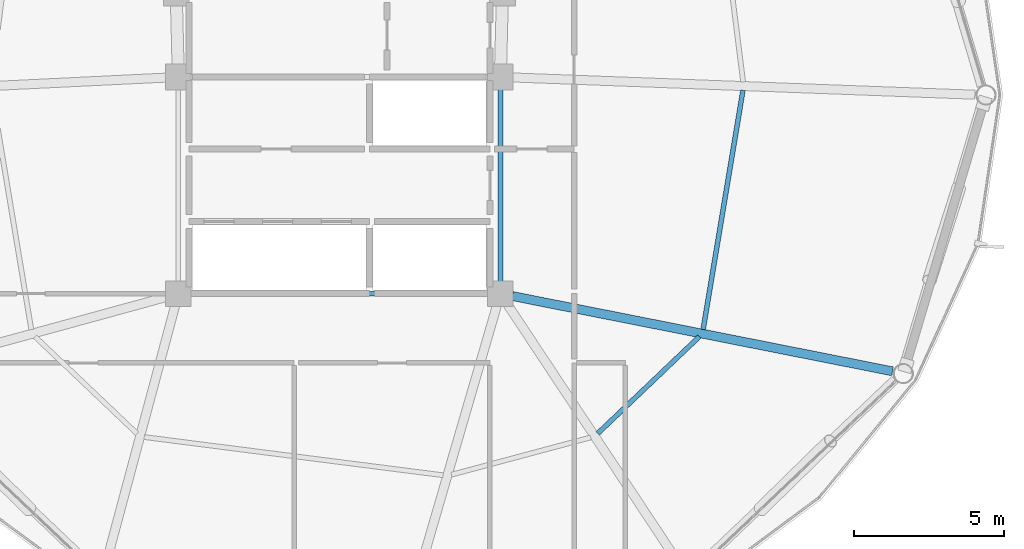
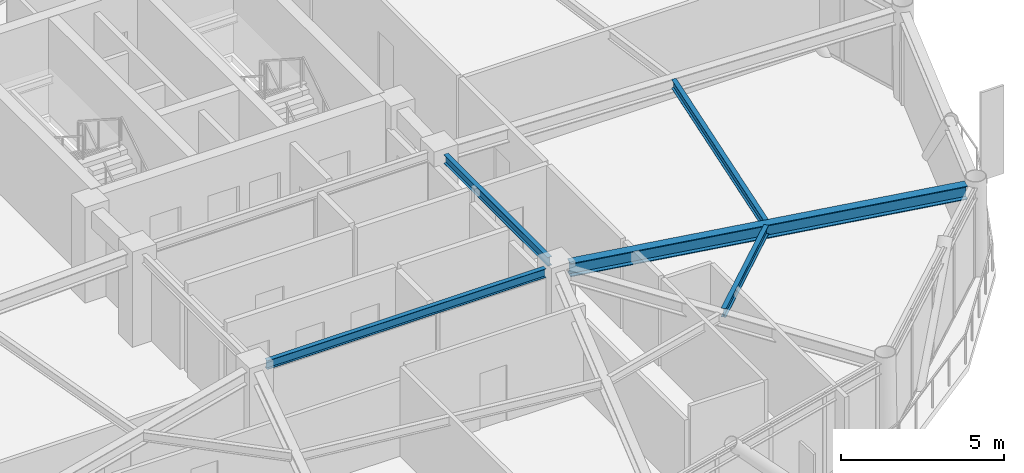
# One storey, part 10 of 28: 5 beams.
"""IFC4 building model written with IfcOpenShell, lengths in metres."""

from ifc_helpers import new_model, si_unit, direction, frame, origin, origin_2d, place, context, subcontext, project, spatial, i_section, extrude, material, material_profile, profile_set, type_object, element, save


model = new_model("IFC4")

# Units and contexts
model_context = context("Model", 3, precision=1e-05, world=origin(), true_north=direction((0.0, 1.0)))
body_context = subcontext(model_context, "Body", "Model", "MODEL_VIEW")
ifc_project = project(units=[si_unit("LENGTHUNIT", "METRE"), si_unit("AREAUNIT", "SQUARE_METRE"), si_unit("VOLUMEUNIT", "CUBIC_METRE"), si_unit("PLANEANGLEUNIT", "RADIAN"), si_unit("MASSUNIT", "GRAM", prefix="KILO")], contexts=[model_context])

# Site, building, storey
site_placement = place(None, origin())
site = spatial("IfcSite", under=ifc_project, at=site_placement, CompositionType="ELEMENT")
building_placement = place(site_placement, origin())
building = spatial("IfcBuilding", under=site, at=building_placement, Name="Varnakorn Sky Granary", CompositionType="ELEMENT")
storey_placement = place(building_placement, frame((0.0, 0.0, 186.0)))
storey = spatial("IfcBuildingStorey", under=building, at=storey_placement, Name="L46", CompositionType="ELEMENT", Elevation=186.0)

# Beams
ifc_material = material(Name="Steel S355JR", Category="steel")
ifc_material_profile_1 = material_profile(ifc_material, i_section(OverallWidth=0.300048828125, OverallDepth=0.5, WebThickness=0.014404296875, FlangeThickness=0.028076171875, at=origin_2d()), Name="HE 500 B")
ifc_profile_set_1 = profile_set([ifc_material_profile_1], Name="Steel S355JR")
beam_type_1 = type_object("IfcBeamType", Name="BM-RAD-Z4", PredefinedType="BEAM", material=ifc_profile_set_1)
beam_1_placement = place(storey_placement, frame((8.747314453125, -6.6787109375, 3.110107421875), z_axis=(0.980974620226, -0.194136020546, 0.0), x_axis=(0.194136020546, 0.980974620226, 0.0)))
element("IfcBeam", 1, at=beam_1_placement, inside=storey, type_object=beam_type_1, Name="Radial Floor Girder RG12 L46", PredefinedType="BEAM", context=body_context, shape_type="SweptSolid", body=[
    extrude(i_section(OverallWidth=0.300048828125, OverallDepth=0.5, WebThickness=0.014404296875, FlangeThickness=0.028076171875, at=origin_2d()), origin(), (0.0, 0.0, 1.0), 12.877685546875),
])
ifc_material_profile_2 = material_profile(ifc_material, i_section(OverallWidth=0.159912109375, OverallDepth=0.330078125, WebThickness=0.007568359375, FlangeThickness=0.011474609375, at=origin_2d()), Name="IPE 330")
ifc_profile_set_2 = profile_set([ifc_material_profile_2], Name="Steel S355JR")
beam_type_2 = type_object("IfcBeamType", Name="BM-SEC-Z4", PredefinedType="BEAM", material=ifc_profile_set_2)
beam_2_placement = place(storey_placement, frame((11.587158203125, -11.242919921875, 3.195068359375), z_axis=(0.723815376592, 0.689993696065, 0.0), x_axis=(-0.689993696065, 0.723815376592, 0.0)))
element("IfcBeam", 2, at=beam_2_placement, inside=storey, type_object=beam_type_2, Name="Secondary Floor Chord Beam MSB11 L46", PredefinedType="BEAM", context=body_context, shape_type="SweptSolid", body=[
    extrude(i_section(OverallWidth=0.159912109375, OverallDepth=0.330078125, WebThickness=0.007568359375, FlangeThickness=0.011474609375, at=origin_2d()), origin(), (0.0, 0.0, 1.0), 4.6630859375),
])
beam_3_placement = place(storey_placement, frame((15.086669921875, -7.79052734375, 3.195068359375), z_axis=(0.16434986928, 0.986402108913, 0.0), x_axis=(-0.986402108913, 0.16434986928, 0.0)))
element("IfcBeam", 3, at=beam_3_placement, inside=storey, type_object=beam_type_2, Name="Secondary Floor Chord Beam MSB12 L46", PredefinedType="BEAM", context=body_context, shape_type="SweptSolid", body=[
    extrude(i_section(OverallWidth=0.159912109375, OverallDepth=0.330078125, WebThickness=0.007568359375, FlangeThickness=0.011474609375, at=origin_2d()), origin(), (0.0, 0.0, 1.0), 8.060302734375),
])
beam_4_placement = place(storey_placement, frame((8.35009765625, 0.195068359375, 3.195068359375), z_axis=(0.0, -1.0, 0.0), x_axis=(1.0, 0.0, 0.0)))
element("IfcBeam", 4, at=beam_4_placement, inside=storey, type_object=beam_type_2, Name="Core Spine Framing Beam 4 L46", PredefinedType="BEAM", context=body_context, shape_type="SweptSolid", body=[
    extrude(i_section(OverallWidth=0.159912109375, OverallDepth=0.330078125, WebThickness=0.007568359375, FlangeThickness=0.011474609375, at=origin_2d()), origin(), (0.0, 0.0, 1.0), 6.39013671875),
])
beam_5_placement = place(storey_placement, frame((-1.945068359375, -6.60009765625, 3.195068359375), z_axis=(1.0, 0.0, 0.0), x_axis=(0.0, 1.0, 0.0)))
element("IfcBeam", 5, at=beam_5_placement, inside=storey, type_object=beam_type_2, Name="Core Spine Framing Beam 6 L46", PredefinedType="BEAM", context=body_context, shape_type="SweptSolid", body=[
    extrude(i_section(OverallWidth=0.159912109375, OverallDepth=0.330078125, WebThickness=0.007568359375, FlangeThickness=0.011474609375, at=origin_2d()), origin(), (0.0, 0.0, 1.0), 9.89013671875),
])

save(model, "model.ifc")
